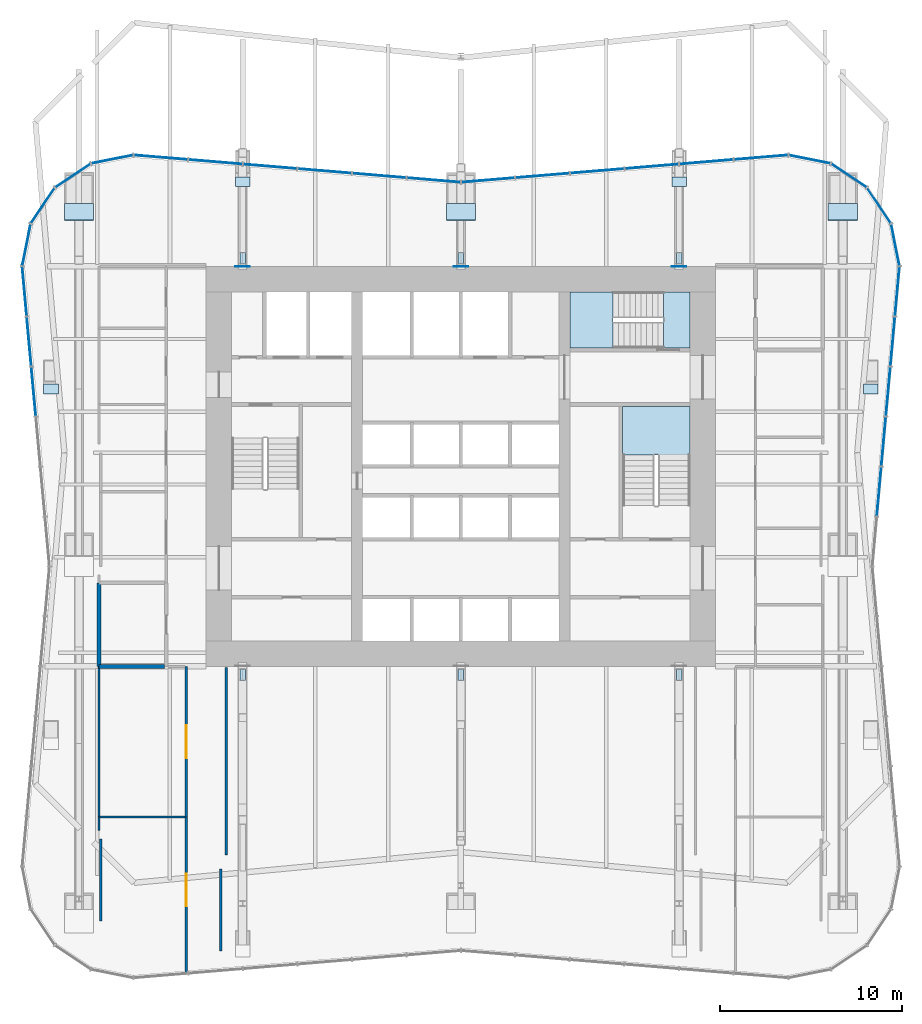
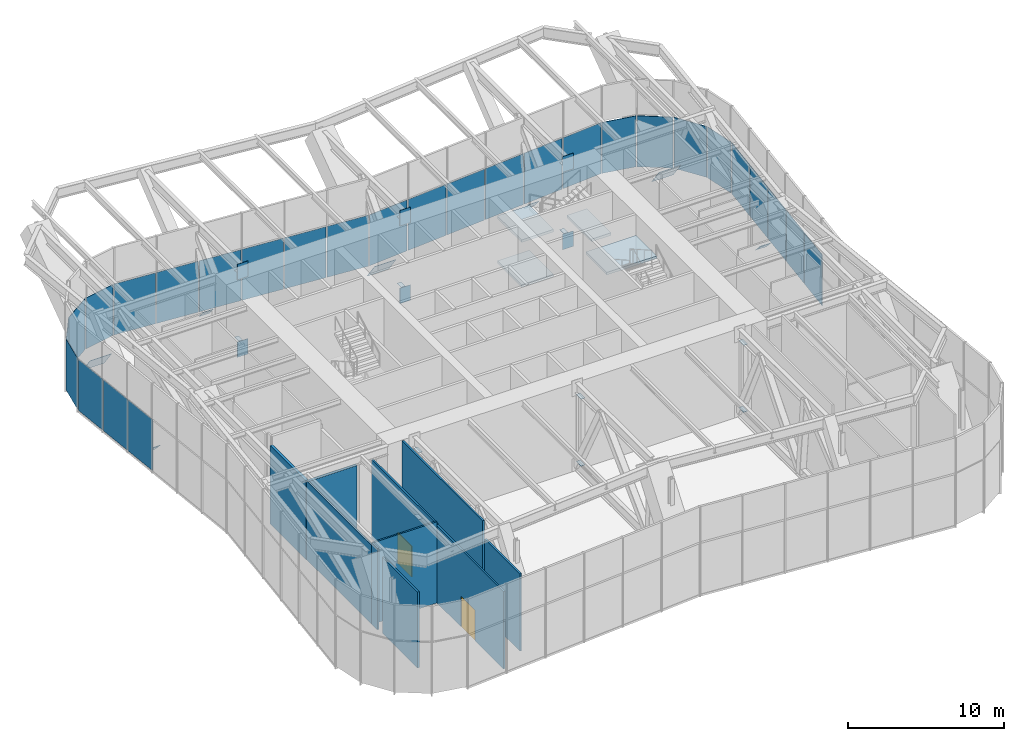
# One storey, part 11 of 17: 53 plates, 10 walls, 4 slabs, 2 doors, 2 openings, 7 elements without a shape of their own.
"""IFC4 building model written with IfcOpenShell, lengths in metres."""

from ifc_helpers import new_model, si_unit, direction, frame, frame_2d, origin, origin_2d, place, context, subcontext, project, spatial, polyline, rectangle, outline, extrude, material, layer, layer_set, type_object, element, fill, aggregate, save


model = new_model("IFC4")

# Units and contexts
model_context = context("Model", 3, precision=1e-05, world=origin(), true_north=direction((0.0, 1.0)))
body_context = subcontext(model_context, "Body", "Model", "MODEL_VIEW")
ifc_project = project(units=[si_unit("LENGTHUNIT", "METRE"), si_unit("AREAUNIT", "SQUARE_METRE"), si_unit("VOLUMEUNIT", "CUBIC_METRE"), si_unit("PLANEANGLEUNIT", "RADIAN"), si_unit("MASSUNIT", "GRAM", prefix="KILO")], contexts=[model_context])

# Site, building, storey
site_placement = place(None, origin())
site = spatial("IfcSite", under=ifc_project, at=site_placement, CompositionType="ELEMENT")
building_placement = place(site_placement, origin())
building = spatial("IfcBuilding", under=site, at=building_placement, Name="Verdant Reach Tower", CompositionType="ELEMENT")
storey_placement = place(building_placement, frame((0.0, 0.0, 58.0)))
storey = spatial("IfcBuildingStorey", under=building, at=storey_placement, Name="L13 Plant", CompositionType="ELEMENT", Elevation=58.0)

# Stair, slab
ifc_material_1 = material(Name="Concrete C40/50", Category="concrete")
stair_type = type_object("IfcStairType", Name="CO-STAIR", PredefinedType="HALF_TURN_STAIR", material=ifc_material_1)
stair_1_placement = place(storey_placement, origin())
stair_1 = element("IfcStair", 1, at=stair_1_placement, inside=storey, type_object=stair_type, Name="L13 Plant Exit stair 2", PredefinedType="HALF_TURN_STAIR")
ifc_layer_1 = layer(ifc_material_1, 0.199951171875)
ifc_layer_set_1 = layer_set([ifc_layer_1], Name="CO-STAIR-LANDING")
slab_type = type_object("IfcSlabType", Name="CO-STAIR-LANDING", PredefinedType="LANDING", material=ifc_layer_set_1)
slab_1_placement = place(storey_placement, frame((0.0, 0.0, 5.050048828125)))
slab_1 = element("IfcSlab", 2, at=slab_1_placement, type_object=slab_type, Name="ST-2 landing 3", PredefinedType="LANDING", context=body_context, shape_type="SweptSolid", body=[
    extrude(outline(polyline([(12.60009765625, 28.639892578125), (12.60009765625, 31.300048828125), (8.89990234375, 31.300048828125), (8.89990234375, 28.639892578125), (12.60009765625, 28.639892578125)])), origin(), (0.0, 0.0, 1.0), 0.199951171875),
])
aggregate(stair_1, [slab_1])

# Stair, slabs
stair_2_placement = place(storey_placement, origin())
stair_2 = element("IfcStair", 3, at=stair_2_placement, inside=storey, type_object=stair_type, Name="L13 Plant Exit stair 3", PredefinedType="HALF_TURN_STAIR")
slab_2_placement = place(storey_placement, frame((0.0, 0.0, 1.550048828125)))
slab_2 = element("IfcSlab", 4, at=slab_2_placement, type_object=slab_type, Name="ST-3 landing 1", PredefinedType="LANDING", context=body_context, shape_type="SweptSolid", body=[
    extrude(outline(polyline([(8.360107421875, 37.60009765625), (6.0, 37.60009765625), (6.0, 34.5), (8.360107421875, 34.5), (8.360107421875, 37.60009765625)])), origin(), (0.0, 0.0, 1.0), 0.199951171875),
])
slab_3_placement = place(storey_placement, frame((0.0, 0.0, 3.300048828125)))
slab_3 = element("IfcSlab", 5, at=slab_3_placement, type_object=slab_type, Name="ST-3 landing 2", PredefinedType="LANDING", context=body_context, shape_type="SweptSolid", body=[
    extrude(outline(polyline([(12.60009765625, 37.60009765625), (11.14990234375, 37.60009765625), (11.14990234375, 34.5), (12.60009765625, 34.5), (12.60009765625, 37.60009765625)])), origin(), (0.0, 0.0, 1.0), 0.199951171875),
])
slab_4_placement = place(storey_placement, frame((0.0, 0.0, 5.050048828125)))
slab_4 = element("IfcSlab", 6, at=slab_4_placement, type_object=slab_type, Name="ST-3 landing 3", PredefinedType="LANDING", context=body_context, shape_type="SweptSolid", body=[
    extrude(outline(polyline([(8.360107421875, 37.60009765625), (6.0, 37.60009765625), (6.0, 34.5), (8.360107421875, 34.5), (8.360107421875, 37.60009765625)])), origin(), (0.0, 0.0, 1.0), 0.199951171875),
])
aggregate(stair_2, [slab_2, slab_3, slab_4])

# Curtain wall, plates
ifc_material_2 = material(Name="Anodised aluminium", Category="aluminium")
curtain_wall_type = type_object("IfcCurtainWallType", Name="EN-CW SYSTEM PLANT", PredefinedType="NOTDEFINED", material=ifc_material_2)
curtain_wall_1_placement = place(storey_placement, origin())
curtain_wall_1 = element("IfcCurtainWall", 7, at=curtain_wall_1_placement, inside=storey, type_object=curtain_wall_type, Name="Curtain wall east, L13", PredefinedType="NOTDEFINED")
ifc_material_3 = material(Name="Bronze anodised aluminium solid panel", Category="aluminium")
ifc_layer_2 = layer(ifc_material_3, 0.0400390625)
ifc_layer_set_2 = layer_set([ifc_layer_2], Name="EN-PANEL SOLID")
plate_type_1 = type_object("IfcPlateType", Name="EN-PANEL SOLID", PredefinedType="CURTAIN_PANEL", material=ifc_layer_set_2)
plate_1_placement = place(storey_placement, frame((22.993408203125, 26.6142578125, -0.199951171875), z_axis=(0.0, 0.0, 1.0), x_axis=(0.090535746047, 0.995893206467, 0.0)))
plate_1 = element("IfcPlate", 8, at=plate_1_placement, type_object=plate_type_1, Name="Solid panel east face part 2 2.1, L13", PredefinedType="CURTAIN_PANEL", context=body_context, shape_type="SweptSolid", body=[
    extrude(rectangle(XDim=2.685302734375, YDim=0.0400390625, at=origin_2d()), origin(), (0.0, 0.0, 1.0), 3.97509765625),
])
plate_2_placement = place(storey_placement, frame((23.243408203125, 29.3642578125, -0.199951171875), z_axis=(0.0, 0.0, 1.0), x_axis=(0.090535746047, 0.995893206467, 0.0)))
plate_2 = element("IfcPlate", 9, at=plate_2_placement, type_object=plate_type_1, Name="Solid panel east face part 2 3.1, L13", PredefinedType="CURTAIN_PANEL", context=body_context, shape_type="SweptSolid", body=[
    extrude(rectangle(XDim=2.685302734375, YDim=0.0400390625, at=origin_2d()), origin(), (0.0, 0.0, 1.0), 3.97509765625),
])
plate_3_placement = place(storey_placement, frame((23.493408203125, 32.1142578125, -0.199951171875), z_axis=(0.0, 0.0, 1.0), x_axis=(0.090535746047, 0.995893206467, 0.0)))
plate_3 = element("IfcPlate", 10, at=plate_3_placement, type_object=plate_type_1, Name="Solid panel east face part 2 4.1, L13", PredefinedType="CURTAIN_PANEL", context=body_context, shape_type="SweptSolid", body=[
    extrude(rectangle(XDim=2.685302734375, YDim=0.0400390625, at=origin_2d()), origin(), (0.0, 0.0, 1.0), 3.97509765625),
])
plate_4_placement = place(storey_placement, frame((23.743408203125, 34.8642578125, -0.199951171875), z_axis=(0.0, 0.0, 1.0), x_axis=(0.090535746047, 0.995893206467, 0.0)))
plate_4 = element("IfcPlate", 11, at=plate_4_placement, type_object=plate_type_1, Name="Solid panel east face part 2 5.1, L13", PredefinedType="CURTAIN_PANEL", context=body_context, shape_type="SweptSolid", body=[
    extrude(rectangle(XDim=2.685302734375, YDim=0.0400390625, at=origin_2d()), origin(), (0.0, 0.0, 1.0), 3.97509765625),
])
plate_5_placement = place(storey_placement, frame((23.99365234375, 37.622802734375, -0.199951171875), z_axis=(0.0, 0.0, 1.0), x_axis=(0.090097307904, 0.995932967176, 0.0)))
plate_5 = element("IfcPlate", 12, at=plate_5_placement, type_object=plate_type_1, Name="Solid panel east face part 2 6.1, L13", PredefinedType="CURTAIN_PANEL", context=body_context, shape_type="SweptSolid", body=[
    extrude(rectangle(XDim=2.702392578125, YDim=0.0400390625, at=origin_2d()), origin(), (0.0, 0.0, 1.0), 3.97509765625),
])
aggregate(curtain_wall_1, [plate_1, plate_2, plate_3, plate_4, plate_5])

curtain_wall_2_placement = place(storey_placement, origin())
curtain_wall_2 = element("IfcCurtainWall", 13, at=curtain_wall_2_placement, inside=storey, type_object=curtain_wall_type, Name="Curtain wall north-east corner, L13", PredefinedType="NOTDEFINED")
plate_6_placement = place(storey_placement, frame((23.885986328125, 40.174072265625, -0.199951171875), z_axis=(0.0, 0.0, 1.0), x_axis=(-0.195519165622, 0.980699880633, 0.0)))
plate_6 = element("IfcPlate", 14, at=plate_6_placement, type_object=plate_type_1, Name="Solid panel north-east corner 1.1, L13", PredefinedType="CURTAIN_PANEL", context=body_context, shape_type="SweptSolid", body=[
    extrude(rectangle(XDim=2.305419921875, YDim=0.0400390625, at=origin_2d()), origin(), (0.0, 0.0, 1.0), 3.97509765625),
])
plate_7_placement = place(storey_placement, frame((22.989990234375, 42.334228515625, -0.199951171875), z_axis=(0.0, 0.0, 1.0), x_axis=(-0.555596466265, 0.83145208321, 0.0)))
plate_7 = element("IfcPlate", 15, at=plate_7_placement, type_object=plate_type_1, Name="Solid panel north-east corner 2.1, L13", PredefinedType="CURTAIN_PANEL", context=body_context, shape_type="SweptSolid", body=[
    extrude(rectangle(XDim=2.3115234375, YDim=0.0400390625, at=origin_2d()), origin(), (0.0, 0.0, 1.0), 3.97509765625),
])
plate_8_placement = place(storey_placement, frame((21.334228515625, 43.989990234375, -0.199951171875), z_axis=(0.0, 0.0, 1.0), x_axis=(-0.83145208321, 0.555596466265, 0.0)))
plate_8 = element("IfcPlate", 16, at=plate_8_placement, type_object=plate_type_1, Name="Solid panel north-east corner 3.1, L13", PredefinedType="CURTAIN_PANEL", context=body_context, shape_type="SweptSolid", body=[
    extrude(rectangle(XDim=2.3115234375, YDim=0.0400390625, at=origin_2d()), origin(), (0.0, 0.0, 1.0), 3.97509765625),
])
plate_9_placement = place(storey_placement, frame((19.174072265625, 44.885986328125, -0.199951171875), z_axis=(0.0, 0.0, 1.0), x_axis=(-0.980694678629, 0.195545256419, 0.0)))
plate_9 = element("IfcPlate", 17, at=plate_9_placement, type_object=plate_type_1, Name="Solid panel north-east corner 4.1, L13", PredefinedType="CURTAIN_PANEL", context=body_context, shape_type="SweptSolid", body=[
    extrude(rectangle(XDim=2.304931640625, YDim=0.0400390625, at=origin_2d()), origin(), (0.0, 0.0, 1.0), 3.97509765625),
])
aggregate(curtain_wall_2, [plate_6, plate_7, plate_8, plate_9])

curtain_wall_3_placement = place(storey_placement, origin())
curtain_wall_3 = element("IfcCurtainWall", 18, at=curtain_wall_3_placement, inside=storey, type_object=curtain_wall_type, Name="Curtain wall north, L13", PredefinedType="NOTDEFINED")
plate_10_placement = place(storey_placement, frame((16.49853515625, 44.99365234375, -0.199951171875), z_axis=(0.0, 0.0, 1.0), x_axis=(-0.996577509664, -0.082663578629, 0.0)))
plate_10 = element("IfcPlate", 19, at=plate_10_placement, type_object=plate_type_1, Name="Solid panel north face part 1 1.1, L13", PredefinedType="CURTAIN_PANEL", context=body_context, shape_type="SweptSolid", body=[
    extrude(rectangle(XDim=2.950927734375, YDim=0.0400390625, at=origin_2d()), origin(), (0.0, 0.0, 1.0), 3.97509765625),
])
plate_11_placement = place(storey_placement, frame((13.490234375, 44.74365234375, -0.199951171875), z_axis=(0.0, 0.0, 1.0), x_axis=(-0.996545758244, -0.083045479859, 0.0)))
plate_11 = element("IfcPlate", 20, at=plate_11_placement, type_object=plate_type_1, Name="Solid panel north face part 1 2.1, L13", PredefinedType="CURTAIN_PANEL", context=body_context, shape_type="SweptSolid", body=[
    extrude(rectangle(XDim=2.934326171875, YDim=0.0400390625, at=origin_2d()), origin(), (0.0, 0.0, 1.0), 3.97509765625),
])
plate_12_placement = place(storey_placement, frame((10.490234375, 44.49365234375, -0.199951171875), z_axis=(0.0, 0.0, 1.0), x_axis=(-0.996545758244, -0.083045479859, 0.0)))
plate_12 = element("IfcPlate", 21, at=plate_12_placement, type_object=plate_type_1, Name="Solid panel north face part 1 3.1, L13", PredefinedType="CURTAIN_PANEL", context=body_context, shape_type="SweptSolid", body=[
    extrude(rectangle(XDim=2.934326171875, YDim=0.0400390625, at=origin_2d()), origin(), (0.0, 0.0, 1.0), 3.97509765625),
])
plate_13_placement = place(storey_placement, frame((7.490234375, 44.24365234375, -0.199951171875), z_axis=(0.0, 0.0, 1.0), x_axis=(-0.996545758244, -0.083045479859, 0.0)))
plate_13 = element("IfcPlate", 22, at=plate_13_placement, type_object=plate_type_1, Name="Solid panel north face part 1 4.1, L13", PredefinedType="CURTAIN_PANEL", context=body_context, shape_type="SweptSolid", body=[
    extrude(rectangle(XDim=2.934326171875, YDim=0.0400390625, at=origin_2d()), origin(), (0.0, 0.0, 1.0), 3.97509765625),
])
plate_14_placement = place(storey_placement, frame((4.490234375, 43.99365234375, -0.199951171875), z_axis=(0.0, 0.0, 1.0), x_axis=(-0.996545758244, -0.083045479859, 0.0)))
plate_14 = element("IfcPlate", 23, at=plate_14_placement, type_object=plate_type_1, Name="Solid panel north face part 1 5.1, L13", PredefinedType="CURTAIN_PANEL", context=body_context, shape_type="SweptSolid", body=[
    extrude(rectangle(XDim=2.934326171875, YDim=0.0400390625, at=origin_2d()), origin(), (0.0, 0.0, 1.0), 3.97509765625),
])
plate_15_placement = place(storey_placement, frame((1.4951171875, 43.743896484375, -0.199951171875), z_axis=(0.0, 0.0, 1.0), x_axis=(-0.996534372104, -0.083182000546, 0.0)))
plate_15 = element("IfcPlate", 24, at=plate_15_placement, type_object=plate_type_1, Name="Solid panel north face part 1 6.1, L13", PredefinedType="CURTAIN_PANEL", context=body_context, shape_type="SweptSolid", body=[
    extrude(rectangle(XDim=2.924560546875, YDim=0.0400390625, at=origin_2d()), origin(), (0.0, 0.0, 1.0), 3.97509765625),
])
plate_16_placement = place(storey_placement, frame((-1.4951171875, 43.743896484375, -0.199951171875), z_axis=(0.0, 0.0, 1.0), x_axis=(-0.996534372104, 0.083182000546, 0.0)))
plate_16 = element("IfcPlate", 25, at=plate_16_placement, type_object=plate_type_1, Name="Solid panel north face part 2 1.1, L13", PredefinedType="CURTAIN_PANEL", context=body_context, shape_type="SweptSolid", body=[
    extrude(rectangle(XDim=2.924560546875, YDim=0.0400390625, at=origin_2d()), origin(), (0.0, 0.0, 1.0), 3.97509765625),
])
plate_17_placement = place(storey_placement, frame((-4.490234375, 43.99365234375, -0.199951171875), z_axis=(0.0, 0.0, 1.0), x_axis=(-0.996545758244, 0.083045479859, 0.0)))
plate_17 = element("IfcPlate", 26, at=plate_17_placement, type_object=plate_type_1, Name="Solid panel north face part 2 2.1, L13", PredefinedType="CURTAIN_PANEL", context=body_context, shape_type="SweptSolid", body=[
    extrude(rectangle(XDim=2.934326171875, YDim=0.0400390625, at=origin_2d()), origin(), (0.0, 0.0, 1.0), 3.97509765625),
])
plate_18_placement = place(storey_placement, frame((-7.490234375, 44.24365234375, -0.199951171875), z_axis=(0.0, 0.0, 1.0), x_axis=(-0.996545758244, 0.083045479859, 0.0)))
plate_18 = element("IfcPlate", 27, at=plate_18_placement, type_object=plate_type_1, Name="Solid panel north face part 2 3.1, L13", PredefinedType="CURTAIN_PANEL", context=body_context, shape_type="SweptSolid", body=[
    extrude(rectangle(XDim=2.934326171875, YDim=0.0400390625, at=origin_2d()), origin(), (0.0, 0.0, 1.0), 3.97509765625),
])
plate_19_placement = place(storey_placement, frame((-10.490234375, 44.49365234375, -0.199951171875), z_axis=(0.0, 0.0, 1.0), x_axis=(-0.996545758244, 0.083045479859, 0.0)))
plate_19 = element("IfcPlate", 28, at=plate_19_placement, type_object=plate_type_1, Name="Solid panel north face part 2 4.1, L13", PredefinedType="CURTAIN_PANEL", context=body_context, shape_type="SweptSolid", body=[
    extrude(rectangle(XDim=2.934326171875, YDim=0.0400390625, at=origin_2d()), origin(), (0.0, 0.0, 1.0), 3.97509765625),
])
plate_20_placement = place(storey_placement, frame((-13.490234375, 44.74365234375, -0.199951171875), z_axis=(0.0, 0.0, 1.0), x_axis=(-0.996545758244, 0.083045479859, 0.0)))
plate_20 = element("IfcPlate", 29, at=plate_20_placement, type_object=plate_type_1, Name="Solid panel north face part 2 5.1, L13", PredefinedType="CURTAIN_PANEL", context=body_context, shape_type="SweptSolid", body=[
    extrude(rectangle(XDim=2.934326171875, YDim=0.0400390625, at=origin_2d()), origin(), (0.0, 0.0, 1.0), 3.97509765625),
])
plate_21_placement = place(storey_placement, frame((-16.49853515625, 44.99365234375, -0.199951171875), z_axis=(0.0, 0.0, 1.0), x_axis=(-0.996577509664, 0.082663578629, 0.0)))
plate_21 = element("IfcPlate", 30, at=plate_21_placement, type_object=plate_type_1, Name="Solid panel north face part 2 6.1, L13", PredefinedType="CURTAIN_PANEL", context=body_context, shape_type="SweptSolid", body=[
    extrude(rectangle(XDim=2.950927734375, YDim=0.0400390625, at=origin_2d()), origin(), (0.0, 0.0, 1.0), 3.97509765625),
])
aggregate(curtain_wall_3, [plate_10, plate_11, plate_12, plate_13, plate_14, plate_15, plate_16, plate_17, plate_18, plate_19, plate_20, plate_21])

curtain_wall_4_placement = place(storey_placement, origin())
curtain_wall_4 = element("IfcCurtainWall", 31, at=curtain_wall_4_placement, inside=storey, type_object=curtain_wall_type, Name="Curtain wall north-west corner, L13", PredefinedType="NOTDEFINED")
plate_22_placement = place(storey_placement, frame((-19.174072265625, 44.885986328125, -0.199951171875), z_axis=(0.0, 0.0, 1.0), x_axis=(-0.980694678629, -0.195545256419, 0.0)))
plate_22 = element("IfcPlate", 32, at=plate_22_placement, type_object=plate_type_1, Name="Solid panel north-west corner 1.1, L13", PredefinedType="CURTAIN_PANEL", context=body_context, shape_type="SweptSolid", body=[
    extrude(rectangle(XDim=2.304931640625, YDim=0.0400390625, at=origin_2d()), origin(), (0.0, 0.0, 1.0), 3.97509765625),
])
plate_23_placement = place(storey_placement, frame((-21.334228515625, 43.989990234375, -0.199951171875), z_axis=(0.0, 0.0, 1.0), x_axis=(-0.83145208321, -0.555596466265, 0.0)))
plate_23 = element("IfcPlate", 33, at=plate_23_placement, type_object=plate_type_1, Name="Solid panel north-west corner 2.1, L13", PredefinedType="CURTAIN_PANEL", context=body_context, shape_type="SweptSolid", body=[
    extrude(rectangle(XDim=2.3115234375, YDim=0.0400390625, at=origin_2d()), origin(), (0.0, 0.0, 1.0), 3.97509765625),
])
plate_24_placement = place(storey_placement, frame((-22.989990234375, 42.334228515625, -0.199951171875), z_axis=(0.0, 0.0, 1.0), x_axis=(-0.555596466265, -0.83145208321, 0.0)))
plate_24 = element("IfcPlate", 34, at=plate_24_placement, type_object=plate_type_1, Name="Solid panel north-west corner 3.1, L13", PredefinedType="CURTAIN_PANEL", context=body_context, shape_type="SweptSolid", body=[
    extrude(rectangle(XDim=2.3115234375, YDim=0.0400390625, at=origin_2d()), origin(), (0.0, 0.0, 1.0), 3.97509765625),
])
plate_25_placement = place(storey_placement, frame((-23.885986328125, 40.174072265625, -0.199951171875), z_axis=(0.0, 0.0, 1.0), x_axis=(-0.195519165622, -0.980699880633, 0.0)))
plate_25 = element("IfcPlate", 35, at=plate_25_placement, type_object=plate_type_1, Name="Solid panel north-west corner 4.1, L13", PredefinedType="CURTAIN_PANEL", context=body_context, shape_type="SweptSolid", body=[
    extrude(rectangle(XDim=2.305419921875, YDim=0.0400390625, at=origin_2d()), origin(), (0.0, 0.0, 1.0), 3.97509765625),
])
aggregate(curtain_wall_4, [plate_22, plate_23, plate_24, plate_25])

curtain_wall_5_placement = place(storey_placement, origin())
curtain_wall_5 = element("IfcCurtainWall", 36, at=curtain_wall_5_placement, inside=storey, type_object=curtain_wall_type, Name="Curtain wall west, L13", PredefinedType="NOTDEFINED")
plate_26_placement = place(storey_placement, frame((-23.99365234375, 37.622802734375, -0.199951171875), z_axis=(0.0, 0.0, 1.0), x_axis=(0.090097307904, -0.995932967176, 0.0)))
plate_26 = element("IfcPlate", 37, at=plate_26_placement, type_object=plate_type_1, Name="Solid panel west face part 1 1.1, L13", PredefinedType="CURTAIN_PANEL", context=body_context, shape_type="SweptSolid", body=[
    extrude(rectangle(XDim=2.702392578125, YDim=0.0400390625, at=origin_2d()), origin(), (0.0, 0.0, 1.0), 3.97509765625),
])
plate_27_placement = place(storey_placement, frame((-23.743408203125, 34.8642578125, -0.199951171875), z_axis=(0.0, 0.0, 1.0), x_axis=(0.090535746047, -0.995893206467, 0.0)))
plate_27 = element("IfcPlate", 38, at=plate_27_placement, type_object=plate_type_1, Name="Solid panel west face part 1 2.1, L13", PredefinedType="CURTAIN_PANEL", context=body_context, shape_type="SweptSolid", body=[
    extrude(rectangle(XDim=2.685302734375, YDim=0.0400390625, at=origin_2d()), origin(), (0.0, 0.0, 1.0), 3.97509765625),
])
plate_28_placement = place(storey_placement, frame((-23.493408203125, 32.1142578125, -0.199951171875), z_axis=(0.0, 0.0, 1.0), x_axis=(0.090535746047, -0.995893206467, 0.0)))
plate_28 = element("IfcPlate", 39, at=plate_28_placement, type_object=plate_type_1, Name="Solid panel west face part 1 3.1, L13", PredefinedType="CURTAIN_PANEL", context=body_context, shape_type="SweptSolid", body=[
    extrude(rectangle(XDim=2.685302734375, YDim=0.0400390625, at=origin_2d()), origin(), (0.0, 0.0, 1.0), 3.97509765625),
])
aggregate(curtain_wall_5, [plate_26, plate_27, plate_28])

# Plates
ifc_material_4 = material(Name="Steel S460", Category="steel")
ifc_layer_3 = layer(ifc_material_4, 0.030029296875)
ifc_layer_set_3 = layer_set([ifc_layer_3], Name="ST-PLATE-CASTIN30")
plate_type_2 = type_object("IfcPlateType", Name="ST-PLATE-CASTIN30", PredefinedType="SHEET", material=ifc_layer_set_3)
plate_29_placement = place(storey_placement, frame((-12.0, 38.985107421875, -0.19287109375), z_axis=(0.0, 0.0, 1.0), x_axis=(1.0, 0.0, 0.0)))
element("IfcPlate", 40, at=plate_29_placement, inside=storey, type_object=plate_type_2, Name="CAST-IN PLATE, outrigger truss C north bottom chord, L13 Plant", PredefinedType="SHEET", context=body_context, shape_type="SweptSolid", body=[
    extrude(rectangle(XDim=0.800048828125, YDim=0.030029296875, at=origin_2d()), origin(), (0.0, 0.0, 1.0), 1.199951171875),
])
plate_30_placement = place(storey_placement, frame((-12.0, 38.985107421875, 5.85595703125), z_axis=(0.0, 0.0, 1.0), x_axis=(1.0, 0.0, 0.0)))
element("IfcPlate", 41, at=plate_30_placement, inside=storey, type_object=plate_type_2, Name="CAST-IN PLATE, outrigger truss C north top chord, L13 Plant", PredefinedType="SHEET", context=body_context, shape_type="SweptSolid", body=[
    extrude(rectangle(XDim=0.800048828125, YDim=0.030029296875, at=origin_2d()), origin(), (0.0, 0.0, 1.0), 1.214111328125),
])
plate_31_placement = place(storey_placement, frame((0.0, 38.985107421875, -0.19287109375), z_axis=(0.0, 0.0, 1.0), x_axis=(1.0, 0.0, 0.0)))
element("IfcPlate", 42, at=plate_31_placement, inside=storey, type_object=plate_type_2, Name="CAST-IN PLATE, outrigger truss D north bottom chord, L13 Plant", PredefinedType="SHEET", context=body_context, shape_type="SweptSolid", body=[
    extrude(rectangle(XDim=0.800048828125, YDim=0.030029296875, at=origin_2d()), origin(), (0.0, 0.0, 1.0), 1.199951171875),
])
plate_32_placement = place(storey_placement, frame((0.0, 38.985107421875, 5.85595703125), z_axis=(0.0, 0.0, 1.0), x_axis=(1.0, 0.0, 0.0)))
element("IfcPlate", 43, at=plate_32_placement, inside=storey, type_object=plate_type_2, Name="CAST-IN PLATE, outrigger truss D north top chord, L13 Plant", PredefinedType="SHEET", context=body_context, shape_type="SweptSolid", body=[
    extrude(rectangle(XDim=0.800048828125, YDim=0.030029296875, at=origin_2d()), origin(), (0.0, 0.0, 1.0), 1.214111328125),
])
plate_33_placement = place(storey_placement, frame((12.0, 38.985107421875, -0.19287109375), z_axis=(0.0, 0.0, 1.0), x_axis=(1.0, 0.0, 0.0)))
element("IfcPlate", 44, at=plate_33_placement, inside=storey, type_object=plate_type_2, Name="CAST-IN PLATE, outrigger truss E north bottom chord, L13 Plant", PredefinedType="SHEET", context=body_context, shape_type="SweptSolid", body=[
    extrude(rectangle(XDim=0.800048828125, YDim=0.030029296875, at=origin_2d()), origin(), (0.0, 0.0, 1.0), 1.199951171875),
])
plate_34_placement = place(storey_placement, frame((12.0, 38.985107421875, 5.85595703125), z_axis=(0.0, 0.0, 1.0), x_axis=(1.0, 0.0, 0.0)))
element("IfcPlate", 45, at=plate_34_placement, inside=storey, type_object=plate_type_2, Name="CAST-IN PLATE, outrigger truss E north top chord, L13 Plant", PredefinedType="SHEET", context=body_context, shape_type="SweptSolid", body=[
    extrude(rectangle(XDim=0.800048828125, YDim=0.030029296875, at=origin_2d()), origin(), (0.0, 0.0, 1.0), 1.214111328125),
])
ifc_layer_4 = layer(ifc_material_4, 0.02001953125)
ifc_layer_set_4 = layer_set([ifc_layer_4], Name="ST-PLATE-END20")
plate_type_3 = type_object("IfcPlateType", Name="ST-PLATE-END20", PredefinedType="SHEET", material=ifc_layer_set_4)
for number, where, z_axis, x_axis, name in (
    (46, (-21.0, 41.983642578125, 0.640625), (0.0, 0.812912862639, 0.582385334428), (-1.0, 0.0, 0.0), "Cap plate, mega column north-west, L13 Plant"),
    (47, (0.0, 41.983642578125, 0.640625), (0.0, 0.812912862639, 0.582385334428), (-1.0, 0.0, 0.0), "Cap plate, mega column north, L13 Plant"),
    (48, (21.0, 41.983642578125, 0.640625), (0.0, 0.812912862639, 0.582385334428), (-1.0, 0.0, 0.0), "Cap plate, mega column north-east, L13 Plant"),
):
    element("IfcPlate", number, at=place(storey_placement, frame(where, z_axis=z_axis, x_axis=x_axis)), inside=storey, type_object=plate_type_3, Name=name, PredefinedType="SHEET", context=body_context, shape_type="SweptSolid", body=[
        extrude(rectangle(XDim=1.60009765625, YDim=1.60009765625, at=origin_2d()), origin(), (0.0, 0.0, 1.0), 0.02001953125),
    ])
for number, where, z_axis, x_axis, name in (
    (49, (-12.0, 43.63427734375, 0.32373046875), (0.0, 0.782059551443, 0.623203705056), (-1.0, 0.0, 0.0), "Cap plate, perimeter column north 1, L13 Plant"),
    (50, (12.0, 43.63427734375, 0.32373046875), (0.0, 0.782059551443, 0.623203705056), (-1.0, 0.0, 0.0), "Cap plate, perimeter column north 2, L13 Plant"),
    (51, (22.536376953125, 32.235107421875, 0.310791015625), (0.0, 0.742688444175, 0.669637121797), (-1.0, 0.0, 0.0), "Cap plate, perimeter column east 2, L13 Plant"),
    (52, (-22.536376953125, 32.235107421875, 0.310791015625), (0.0, 0.742688444175, 0.669637121797), (-1.0, 0.0, 0.0), "Cap plate, perimeter column west 2, L13 Plant"),
):
    element("IfcPlate", number, at=place(storey_placement, frame(where, z_axis=z_axis, x_axis=x_axis)), inside=storey, type_object=plate_type_3, Name=name, PredefinedType="SHEET", context=body_context, shape_type="SweptSolid", body=[
        extrude(rectangle(XDim=0.800048828125, YDim=0.800048828125, at=origin_2d()), origin(), (0.0, 0.0, 1.0), 0.02001953125),
    ])
for number, where, z_axis, x_axis, name in (
    (53, (-12.0, 39.449951171875, 0.81396484375), (0.0, 0.0, 1.0), (1.0, 0.0, 0.0), "End plate, outrigger truss C north end post bottom, L13 Plant"),
    (54, (-12.0, 39.449951171875, 6.035888671875), (0.0, 0.0, 1.0), (1.0, 0.0, 0.0), "End plate, outrigger truss C north end post top, L13 Plant"),
    (55, (-12.0, 16.550048828125, 0.81396484375), (0.0, 0.0, 1.0), (1.0, 0.0, 0.0), "End plate, outrigger truss C south end post bottom, L13 Plant"),
    (56, (-12.0, 16.550048828125, 6.035888671875), (0.0, 0.0, 1.0), (1.0, 0.0, 0.0), "End plate, outrigger truss C south end post top, L13 Plant"),
    (57, (0.0, 39.449951171875, 0.81396484375), (0.0, 0.0, 1.0), (1.0, 0.0, 0.0), "End plate, outrigger truss D north end post bottom, L13 Plant"),
    (58, (0.0, 39.449951171875, 6.035888671875), (0.0, 0.0, 1.0), (1.0, 0.0, 0.0), "End plate, outrigger truss D north end post top, L13 Plant"),
    (59, (0.0, 16.550048828125, 0.81396484375), (0.0, 0.0, 1.0), (1.0, 0.0, 0.0), "End plate, outrigger truss D south end post bottom, L13 Plant"),
    (60, (0.0, 16.550048828125, 6.035888671875), (0.0, 0.0, 1.0), (1.0, 0.0, 0.0), "End plate, outrigger truss D south end post top, L13 Plant"),
    (61, (12.0, 39.449951171875, 0.81396484375), (0.0, 0.0, 1.0), (1.0, 0.0, 0.0), "End plate, outrigger truss E north end post bottom, L13 Plant"),
    (62, (12.0, 39.449951171875, 6.035888671875), (0.0, 0.0, 1.0), (1.0, 0.0, 0.0), "End plate, outrigger truss E north end post top, L13 Plant"),
    (63, (12.0, 16.550048828125, 0.81396484375), (0.0, 0.0, 1.0), (1.0, 0.0, 0.0), "End plate, outrigger truss E south end post bottom, L13 Plant"),
    (64, (12.0, 16.550048828125, 6.035888671875), (0.0, 0.0, 1.0), (1.0, 0.0, 0.0), "End plate, outrigger truss E south end post top, L13 Plant"),
):
    element("IfcPlate", number, at=place(storey_placement, frame(where, z_axis=z_axis, x_axis=x_axis)), inside=storey, type_object=plate_type_3, Name=name, PredefinedType="SHEET", context=body_context, shape_type="SweptSolid", body=[
        extrude(rectangle(XDim=0.304931640625, YDim=0.6201171875, at=origin_2d()), origin(), (0.0, 0.0, 1.0), 0.02001953125),
    ])

# Wall, opening, door
ifc_material_5 = material(Name="Gypsum board on steel studs, fire rated", Category="steel")
ifc_layer_5 = layer(ifc_material_5, 0.125)
ifc_layer_set_5 = layer_set([ifc_layer_5], Name="SV-W2 Plant wall 125 EI 60")
wall_type_1 = type_object("IfcWallType", Name="SV-W2 Plant wall 125 EI 60", PredefinedType="PARTITIONING", material=ifc_layer_set_5)
wall_1_placement = place(storey_placement, frame((-15.10009765625, 0.16162109375, 0.0), z_axis=(0.0, 0.0, 1.0), x_axis=(0.0, 1.0, 0.0)))
wall_1 = element("IfcWall", 65, at=wall_1_placement, inside=storey, type_object=wall_type_1, Name="Partition L13.20", PredefinedType="PARTITIONING", context=body_context, shape_type="SweptSolid", body=[
    extrude(rectangle(XDim=8.5654296875, YDim=0.125, at=frame_2d((4.28271484375, 0.0))), origin(), (0.0, 0.0, 1.0), 6.0400390625),
])
opening_1_placement = place(wall_1_placement, frame((3.648193359375, 0.0, 0.0)))
opening_1 = element("IfcOpeningElement", 66, at=opening_1_placement, cuts=wall_1, Name="Opening SD3", PredefinedType="OPENING", context=body_context, shape_type="SweptSolid", body=[
    extrude(rectangle(XDim=1.800048828125, YDim=2.39990234375, at=frame_2d((0.89990234375, 1.199951171875))), frame((0.0, 0.072509765625, 0.0), z_axis=(0.0, -1.0, 0.0), x_axis=(1.0, 0.0, 0.0)), (0.0, 0.0, 1.0), 0.14501953125),
])
ifc_material_6 = material(Name="Steel door leaves, fire rated", Category="steel")
door_type = type_object("IfcDoorType", Name="SV-D3 Equipment door 1800x2400 FD60", OperationType="DOUBLE_DOOR_SINGLE_SWING", PredefinedType="DOOR", material=ifc_material_6)
door_1_placement = place(opening_1_placement, origin())
door_1 = element("IfcDoor", 67, at=door_1_placement, inside=storey, type_object=door_type, Name="Door L13-013", OperationType="DOUBLE_DOOR_SINGLE_SWING", OverallHeight=2.39990234375, OverallWidth=1.800048828125, PredefinedType="DOOR", context=body_context, shape_type="SweptSolid", body=[
    extrude(rectangle(XDim=1.800048828125, YDim=2.39990234375, at=frame_2d((0.89990234375, 1.199951171875))), frame((0.0, 0.02490234375, 0.0), z_axis=(0.0, -1.0, 0.0), x_axis=(1.0, 0.0, 0.0)), (0.0, 0.0, 1.0), 0.050048828125),
])
fill(opening_1, door_1)

wall_2_placement = place(storey_placement, frame((-15.10009765625, 8.72705078125, 0.0), z_axis=(0.0, 0.0, 1.0), x_axis=(0.0, 1.0, 0.0)))
wall_2 = element("IfcWall", 68, at=wall_2_placement, inside=storey, type_object=wall_type_1, Name="Partition L13.21", PredefinedType="PARTITIONING", context=body_context, shape_type="SweptSolid", body=[
    extrude(rectangle(XDim=8.27294921875, YDim=0.125, at=frame_2d((4.136474609375, 0.0))), origin(), (0.0, 0.0, 1.0), 6.139892578125),
])
opening_2_placement = place(wall_2_placement, frame((3.236572265625, 0.0, 0.0)))
opening_2 = element("IfcOpeningElement", 69, at=opening_2_placement, cuts=wall_2, Name="Opening SD3", PredefinedType="OPENING", context=body_context, shape_type="SweptSolid", body=[
    extrude(rectangle(XDim=1.800048828125, YDim=2.39990234375, at=frame_2d((0.89990234375, 1.199951171875))), frame((0.0, 0.072509765625, 0.0), z_axis=(0.0, -1.0, 0.0), x_axis=(1.0, 0.0, 0.0)), (0.0, 0.0, 1.0), 0.14501953125),
])
door_2_placement = place(opening_2_placement, origin())
door_2 = element("IfcDoor", 70, at=door_2_placement, inside=storey, type_object=door_type, Name="Door L13-014", OperationType="DOUBLE_DOOR_SINGLE_SWING", OverallHeight=2.39990234375, OverallWidth=1.800048828125, PredefinedType="DOOR", context=body_context, shape_type="SweptSolid", body=[
    extrude(rectangle(XDim=1.800048828125, YDim=2.39990234375, at=frame_2d((0.89990234375, 1.199951171875))), frame((0.0, 0.02490234375, 0.0), z_axis=(0.0, -1.0, 0.0), x_axis=(1.0, 0.0, 0.0)), (0.0, 0.0, 1.0), 0.050048828125),
])
fill(opening_2, door_2)

# Walls
wall_3_placement = place(storey_placement, frame((-19.89990234375, 8.72705078125, 0.0), z_axis=(0.0, 0.0, 1.0), x_axis=(1.0, 0.0, 0.0)))
element("IfcWall", 71, at=wall_3_placement, inside=storey, type_object=wall_type_1, Name="Partition L13.28", PredefinedType="PARTITIONING", context=body_context, shape_type="SweptSolid", body=[
    extrude(rectangle(XDim=4.7373046875, YDim=0.125, at=frame_2d((2.36865234375, 0.0))), origin(), (0.0, 0.0, 1.0), 6.340087890625),
])
wall_4_placement = place(storey_placement, frame((-12.89990234375, 16.949951171875, 0.0), z_axis=(0.0, 0.0, 1.0), x_axis=(0.0, -1.0, 0.0)))
element("IfcWall", 72, at=wall_4_placement, inside=storey, type_object=wall_type_1, Name="Partition L13.44", PredefinedType="PARTITIONING", context=body_context, shape_type="SweptSolid", body=[
    extrude(rectangle(XDim=10.307861328125, YDim=0.125, at=frame_2d((5.15380859375, 0.0))), origin(), (0.0, 0.0, 1.0), 6.8701171875),
])
wall_5_placement = place(storey_placement, frame((-13.199951171875, 5.85009765625, 0.0), z_axis=(0.0, 0.0, 1.0), x_axis=(0.0, -1.0, 0.0)))
element("IfcWall", 73, at=wall_5_placement, inside=storey, type_object=wall_type_1, Name="Partition L13.45", PredefinedType="PARTITIONING", context=body_context, shape_type="SweptSolid", body=[
    extrude(rectangle(XDim=4.5, YDim=0.125, at=frame_2d((2.25, 0.0))), origin(), (0.0, 0.0, 1.0), 6.0400390625),
])
wall_6_placement = place(storey_placement, frame((-19.800048828125, 3.0, 0.0), z_axis=(0.0, 0.0, 1.0), x_axis=(0.0, 1.0, 0.0)))
element("IfcWall", 74, at=wall_6_placement, inside=storey, type_object=wall_type_1, Name="Partition L13.54", PredefinedType="PARTITIONING", context=body_context, shape_type="SweptSolid", body=[
    extrude(rectangle(XDim=4.5, YDim=0.125, at=frame_2d((2.25, 0.0))), origin(), (0.0, 0.0, 1.0), 5.929931640625),
])
wall_7_placement = place(storey_placement, frame((-19.89990234375, 7.97802734375, 0.0), z_axis=(0.0, 0.0, 1.0), x_axis=(0.0, 1.0, 0.0)))
element("IfcWall", 75, at=wall_7_placement, inside=storey, type_object=wall_type_1, Name="Partition L13.55", PredefinedType="PARTITIONING", context=body_context, shape_type="SweptSolid", body=[
    extrude(rectangle(XDim=0.7470703125, YDim=0.125, at=frame_2d((0.37353515625, 0.0))), origin(), (0.0, 0.0, 1.0), 6.340087890625),
])
wall_8_placement = place(storey_placement, frame((-19.89990234375, 8.72900390625, 0.0), z_axis=(0.0, 0.0, 1.0), x_axis=(0.0, 1.0, 0.0)))
element("IfcWall", 76, at=wall_8_placement, inside=storey, type_object=wall_type_1, Name="Partition L13.56", PredefinedType="PARTITIONING", context=body_context, shape_type="SweptSolid", body=[
    extrude(rectangle(XDim=8.26904296875, YDim=0.125, at=frame_2d((4.134521484375, 0.0))), origin(), (0.0, 0.0, 1.0), 6.139892578125),
])
ifc_material_7 = material(Name="Calcium silicate board on steel studs, fire rated", Category="steel")
ifc_layer_6 = layer(ifc_material_7, 0.199951171875)
ifc_layer_set_6 = layer_set([ifc_layer_6], Name="SV-W3 Fire wall 200 EI 120")
wall_type_2 = type_object("IfcWallType", Name="SV-W3 Fire wall 200 EI 120", PredefinedType="PARTITIONING", material=ifc_layer_set_6)
wall_9_placement = place(storey_placement, frame((-16.300048828125, 17.0, 0.0), z_axis=(0.0, 0.0, 1.0), x_axis=(-1.0, 0.0, 0.0)))
element("IfcWall", 77, at=wall_9_placement, inside=storey, type_object=wall_type_2, Name="Partition L13.24", PredefinedType="PARTITIONING", context=body_context, shape_type="SweptSolid", body=[
    extrude(rectangle(XDim=3.599853515625, YDim=0.199951171875, at=frame_2d((1.7998046875, 0.0))), origin(), (0.0, 0.0, 1.0), 6.139892578125),
])
wall_10_placement = place(storey_placement, frame((-19.89990234375, 17.001953125, 0.0), z_axis=(0.0, 0.0, 1.0), x_axis=(0.0, 1.0, 0.0)))
element("IfcWall", 78, at=wall_10_placement, inside=storey, type_object=wall_type_2, Name="Partition L13.46", PredefinedType="PARTITIONING", context=body_context, shape_type="SweptSolid", body=[
    extrude(rectangle(XDim=4.595947265625, YDim=0.199951171875, at=frame_2d((2.2978515625, 0.0))), origin(), (0.0, 0.0, 1.0), 6.139892578125),
])

save(model, "model.ifc")
